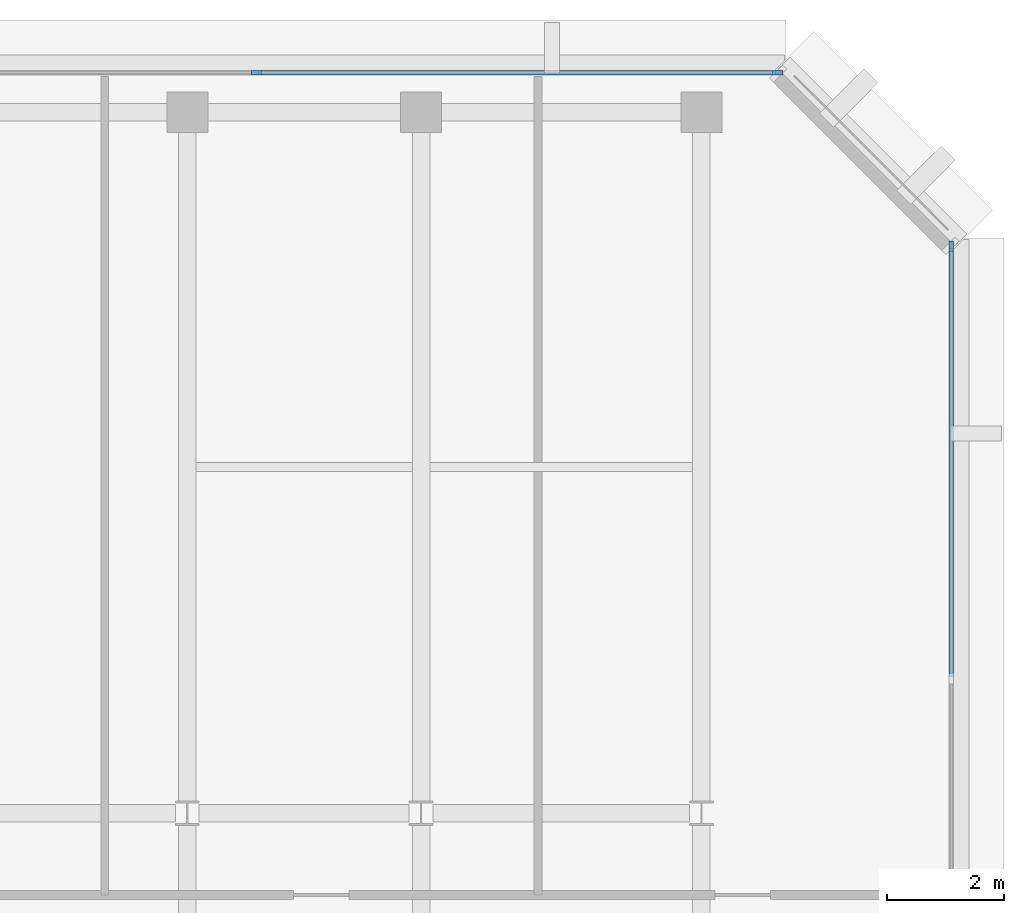
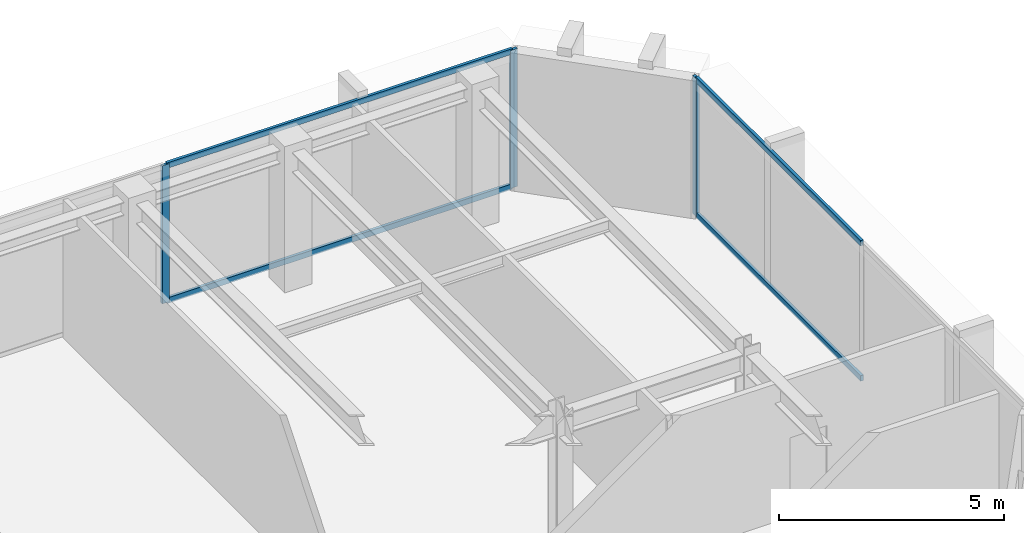
# One storey, part 5 of 11: 7 members, 2 elements without a shape of their own.
"""IFC4 building model written with IfcOpenShell, lengths in metres."""

from ifc_helpers import new_model, si_unit, direction, frame, origin, origin_2d, place, context, subcontext, project, spatial, rectangle, extrude, material, layer, layer_set, material_profile, profile_set, type_object, element, aggregate, save


model = new_model("IFC4")

# Units and contexts
model_context = context("Model", 3, precision=1e-05, world=origin(), true_north=direction((0.0, 1.0)))
body_context = subcontext(model_context, "Body", "Model", "MODEL_VIEW")
ifc_project = project(units=[si_unit("LENGTHUNIT", "METRE"), si_unit("AREAUNIT", "SQUARE_METRE"), si_unit("VOLUMEUNIT", "CUBIC_METRE"), si_unit("PLANEANGLEUNIT", "RADIAN"), si_unit("MASSUNIT", "GRAM", prefix="KILO")], contexts=[model_context])

# Site, building, storey
site_placement = place(None, origin())
site = spatial("IfcSite", under=ifc_project, at=site_placement, CompositionType="ELEMENT")
building_placement = place(site_placement, origin())
building = spatial("IfcBuilding", under=site, at=building_placement, Name="Kefirva Bronze Tower", CompositionType="ELEMENT")
storey_placement = place(building_placement, frame((0.0, 0.0, 303.929931640625)))
storey = spatial("IfcBuildingStorey", under=building, at=storey_placement, Name="L74", CompositionType="ELEMENT", Elevation=303.929931640625)

# Curtain wall, member
ifc_material = material(Name="Bronze anodised aluminium", Category="aluminium")
ifc_layer = layer(ifc_material, 0.179931640625, Name="Bronze anodised aluminium")
ifc_layer_set = layer_set([ifc_layer], Name="Bronze anodised aluminium")
curtain_wall_type = type_object("IfcCurtainWallType", Name="Unitised Bronze Ribbon Curtain Wall Zone 4", PredefinedType="USERDEFINED", material=ifc_layer_set)
curtain_wall_1_placement = place(storey_placement, origin())
curtain_wall_1 = element("IfcCurtainWall", 1, at=curtain_wall_1_placement, inside=storey, type_object=curtain_wall_type, Name="L74 Curtain Wall 3", ObjectType="UNITISED CURTAIN WALL", PredefinedType="USERDEFINED")
ifc_material_profile_1 = material_profile(ifc_material, rectangle(XDim=0.074951171875, YDim=0.179931640625, at=origin_2d()), Name="ALU 75x180")
ifc_profile_set_1 = profile_set([ifc_material_profile_1], Name="Bronze anodised aluminium")
member_type_1 = type_object("IfcMemberType", Name="Bronze Mullion 75x180", PredefinedType="MULLION", material=ifc_profile_set_1)
member_1_placement = place(storey_placement, frame((44.280029296875, 42.907470703125, 0.0), z_axis=(0.0, 0.0, 1.0), x_axis=(-1.0, 0.0, 0.0)))
member_1 = element("IfcMember", 2, at=member_1_placement, type_object=member_type_1, Name="CW-04 mullion 3", PredefinedType="MULLION", context=body_context, shape_type="SweptSolid", body=[
    extrude(rectangle(XDim=0.074951171875, YDim=0.179931640625, at=origin_2d()), origin(), (0.0, 0.0, 1.0), 3.739990234375),
])

# Curtain wall, members
curtain_wall_2_placement = place(storey_placement, origin())
curtain_wall_2 = element("IfcCurtainWall", 3, at=curtain_wall_2_placement, inside=storey, type_object=curtain_wall_type, Name="L74 Curtain Wall 4", ObjectType="UNITISED CURTAIN WALL", PredefinedType="USERDEFINED")
member_2_placement = place(storey_placement, frame((41.3076171875, 45.8798828125, 0.0), z_axis=(0.0, 0.0, 1.0), x_axis=(0.0, -1.0, 0.0)))
member_2 = element("IfcMember", 4, at=member_2_placement, type_object=member_type_1, Name="CW-04 mullion 1", PredefinedType="MULLION", context=body_context, shape_type="SweptSolid", body=[
    extrude(rectangle(XDim=0.074951171875, YDim=0.179931640625, at=origin_2d()), origin(), (0.0, 0.0, 1.0), 3.739990234375),
])
member_3_placement = place(storey_placement, frame((32.375, 45.8798828125, 0.0), z_axis=(0.0, 0.0, 1.0), x_axis=(0.0, -1.0, 0.0)))
member_3 = element("IfcMember", 5, at=member_3_placement, type_object=member_type_1, Name="CW-04 mullion 2", PredefinedType="MULLION", context=body_context, shape_type="SweptSolid", body=[
    extrude(rectangle(XDim=0.074951171875, YDim=0.179931640625, at=origin_2d()), origin(), (0.0, 0.0, 1.0), 3.739990234375),
])

# Member
ifc_material_profile_2 = material_profile(ifc_material, rectangle(XDim=0.074951171875, YDim=0.14990234375, at=origin_2d()), Name="ALU 75x150")
ifc_profile_set_2 = profile_set([ifc_material_profile_2], Name="Bronze anodised aluminium")
member_type_2 = type_object("IfcMemberType", Name="Bronze Transom 75x150", PredefinedType="USERDEFINED", material=ifc_profile_set_2)
member_4_placement = place(storey_placement, frame((44.280029296875, 35.53759765625, 0.03759765625), z_axis=(0.0, 1.0, 0.0), x_axis=(-1.0, 0.0, 0.0)))
member_4 = element("IfcMember", 6, at=member_4_placement, type_object=member_type_2, Name="CW-04 transom 2.1", ObjectType="TRANSOM", PredefinedType="USERDEFINED", context=body_context, shape_type="SweptSolid", body=[
    extrude(rectangle(XDim=0.074951171875, YDim=0.14990234375, at=origin_2d()), origin(), (0.0, 0.0, 1.0), 7.33251953125),
])

member_5_placement = place(storey_placement, frame((44.280029296875, 35.53759765625, 3.70263671875), z_axis=(0.0, 1.0, 0.0), x_axis=(-1.0, 0.0, 0.0)))
member_5 = element("IfcMember", 7, at=member_5_placement, type_object=member_type_2, Name="CW-04 transom 2.2", ObjectType="TRANSOM", PredefinedType="USERDEFINED", context=body_context, shape_type="SweptSolid", body=[
    extrude(rectangle(XDim=0.074951171875, YDim=0.14990234375, at=origin_2d()), origin(), (0.0, 0.0, 1.0), 7.33251953125),
])

aggregate(curtain_wall_1, [member_1, member_4, member_5])

member_6_placement = place(storey_placement, frame((41.27001953125, 45.8798828125, 0.03759765625), z_axis=(-1.0, 0.0, 0.0), x_axis=(0.0, -1.0, 0.0)))
member_6 = element("IfcMember", 8, at=member_6_placement, type_object=member_type_2, Name="CW-04 transom 1.1", ObjectType="TRANSOM", PredefinedType="USERDEFINED", context=body_context, shape_type="SweptSolid", body=[
    extrude(rectangle(XDim=0.074951171875, YDim=0.14990234375, at=origin_2d()), origin(), (0.0, 0.0, 1.0), 8.857421875),
])

member_7_placement = place(storey_placement, frame((41.27001953125, 45.8798828125, 3.70263671875), z_axis=(-1.0, 0.0, 0.0), x_axis=(0.0, -1.0, 0.0)))
member_7 = element("IfcMember", 9, at=member_7_placement, type_object=member_type_2, Name="CW-04 transom 1.2", ObjectType="TRANSOM", PredefinedType="USERDEFINED", context=body_context, shape_type="SweptSolid", body=[
    extrude(rectangle(XDim=0.074951171875, YDim=0.14990234375, at=origin_2d()), origin(), (0.0, 0.0, 1.0), 8.857421875),
])

aggregate(curtain_wall_2, [member_2, member_3, member_6, member_7])

save(model, "model.ifc")
